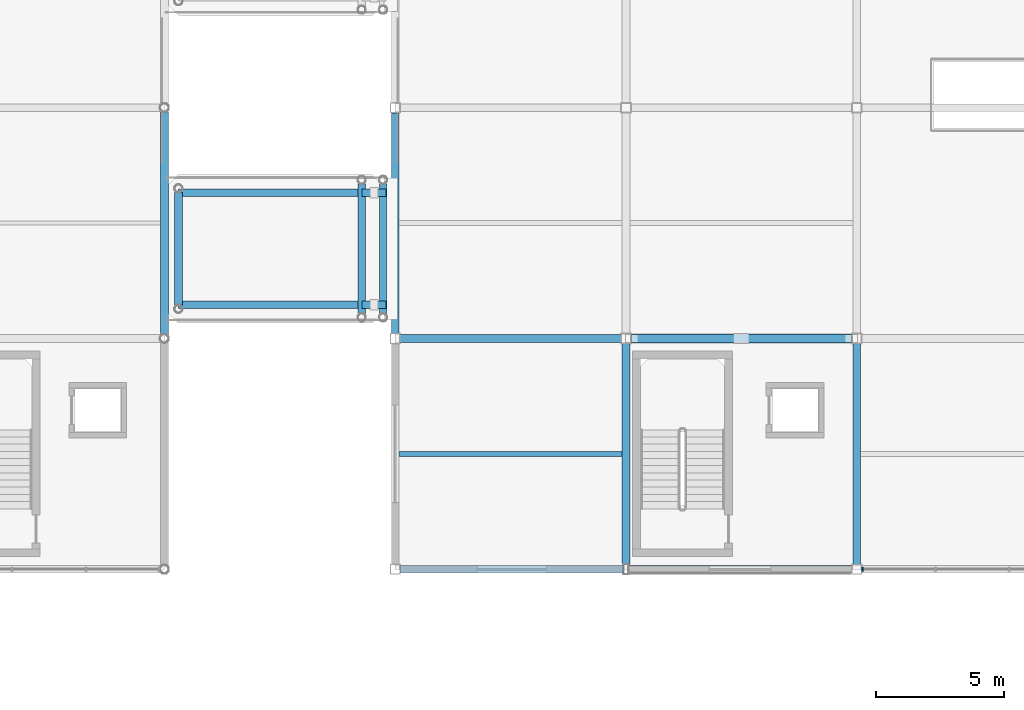
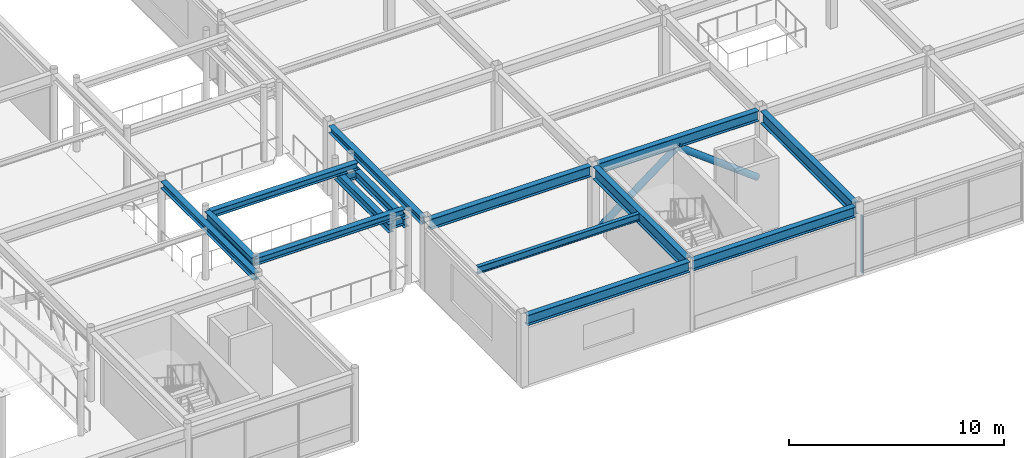
# One storey, part 20 of 70: 16 beams, 3 members, 1 element without a shape of its own.
"""IFC4 building model written with IfcOpenShell, lengths in metres."""

from ifc_helpers import new_model, si_unit, direction, frame, origin, origin_2d, place, context, subcontext, project, spatial, rectangle, hollow_circle, i_section, extrude, material, material_profile, profile_set, type_object, element, aggregate, save


model = new_model("IFC4")

# Units and contexts
model_context = context("Model", 3, precision=1e-05, world=origin(), true_north=direction((0.0, 1.0)))
body_context = subcontext(model_context, "Body", "Model", "MODEL_VIEW")
ifc_project = project(units=[si_unit("LENGTHUNIT", "METRE"), si_unit("AREAUNIT", "SQUARE_METRE"), si_unit("VOLUMEUNIT", "CUBIC_METRE"), si_unit("PLANEANGLEUNIT", "RADIAN"), si_unit("MASSUNIT", "GRAM", prefix="KILO")], contexts=[model_context])

# Site, building, storey
site_placement = place(None, origin())
site = spatial("IfcSite", under=ifc_project, at=site_placement, CompositionType="ELEMENT")
building_placement = place(site_placement, origin())
building = spatial("IfcBuilding", under=site, at=building_placement, Name="Suzunagisa Mobility Hub", CompositionType="ELEMENT")
storey_placement = place(building_placement, frame((0.0, 0.0, 13.5)))
storey = spatial("IfcBuildingStorey", under=building, at=storey_placement, Name="L03", CompositionType="ELEMENT", Elevation=13.5)

# Curtain wall, member
ifc_material_1 = material(Name="Thermally Broken Anodized Aluminum and Low-E Glazing", Category="aluminium")
curtain_wall_type = type_object("IfcCurtainWallType", Name="Unitised Curtain Wall CW-18 8500x3200", PredefinedType="USERDEFINED", material=ifc_material_1)
curtain_wall_placement = place(storey_placement, origin())
curtain_wall = element("IfcCurtainWall", 1, at=curtain_wall_placement, inside=storey, type_object=curtain_wall_type, Name="L03 Unitised Curtain Wall CW-121", ObjectType="UNITISED CURTAIN WALL", PredefinedType="USERDEFINED")
ifc_material_2 = material(Name="Anodized Aluminum 6063-T6", Category="aluminium")
ifc_material_profile_1 = material_profile(ifc_material_2, rectangle(XDim=0.06005859375, YDim=0.14990234375, at=origin_2d()), Name="MULL-60x150")
ifc_profile_set_1 = profile_set([ifc_material_profile_1], Name="Anodized Aluminum 6063-T6")
member_type_1 = type_object("IfcMemberType", Name="Curtain Wall Framing CM-03 MULL-60x150", PredefinedType="MULLION", material=ifc_profile_set_1)
member_placement = place(storey_placement, frame((63.22998046875, 80.0, 0.0), z_axis=(0.0, 0.0, 1.0), x_axis=(1.0, 0.0, 0.0)))
member = element("IfcMember", 2, at=member_placement, type_object=member_type_1, Name="Curtain Wall Mullion 121-M1", PredefinedType="MULLION", context=body_context, shape_type="SweptSolid", body=[
    extrude(rectangle(XDim=0.06005859375, YDim=0.14990234375, at=origin_2d()), origin(), (0.0, 0.0, 1.0), 3.25),
])
aggregate(curtain_wall, [member])

# Members
ifc_material_3 = material(Name="Steel SN490B", Category="steel")
ifc_material_profile_2 = material_profile(ifc_material_3, hollow_circle(Radius=0.177734375, WallThickness=0.0126953125, at=origin_2d()), Name="CHS-355.6x12.7")
ifc_profile_set_2 = profile_set([ifc_material_profile_2], Name="Steel SN490B")
member_type_2 = type_object("IfcMemberType", Name="Roof Truss and Brace Member MB-03 CHS-355.6x12.7", PredefinedType="BRACE", material=ifc_profile_set_2)
for number, where, z_axis, x_axis, name in (
    (3, (54.219970703125, 89.0, 0.1201171875), (0.798406843129, 0.0, 0.602118354516), (0.0, 1.0, 0.0), "L03 Concentric Lateral Brace BR-33"),
    (4, (62.780029296875, 89.0, 0.1201171875), (-0.798406843129, 0.0, 0.602118354516), (0.0, -1.0, 0.0), "L03 Concentric Lateral Brace BR-34"),
):
    element("IfcMember", number, at=place(storey_placement, frame(where, z_axis=z_axis, x_axis=x_axis)), inside=storey, type_object=member_type_2, Name=name, PredefinedType="BRACE", context=body_context, shape_type="SweptSolid", body=[
        extrude(hollow_circle(Radius=0.177734375, WallThickness=0.0126953125, at=origin_2d()), origin(), (0.0, 0.0, 1.0), 5.360595703125),
    ])

# Beams
ifc_material_profile_3 = material_profile(ifc_material_3, i_section(OverallWidth=0.300048828125, OverallDepth=0.488037109375, WebThickness=0.010986328125, FlangeThickness=0.01806640625, FilletRadius=0.012939453125, at=origin_2d()), Name="H-488x300x11x18")
ifc_profile_set_3 = profile_set([ifc_material_profile_3], Name="Steel SN490B")
beam_type_1 = type_object("IfcBeamType", Name="Steel Beam BM-06 H-488x300x11x18", PredefinedType="BEAM", material=ifc_profile_set_3)
beam_1_placement = place(storey_placement, frame((36.550048828125, 90.31005859375, 3.696044921875), z_axis=(0.0, 1.0, 0.0), x_axis=(-1.0, 0.0, 0.0)))
element("IfcBeam", 5, at=beam_1_placement, inside=storey, type_object=beam_type_1, Name="L04 Skybridge Fixed Crosshead VRL-L04-S", PredefinedType="BEAM", context=body_context, shape_type="SweptSolid", body=[
    extrude(i_section(OverallWidth=0.300048828125, OverallDepth=0.488037109375, WebThickness=0.010986328125, FlangeThickness=0.01806640625, FilletRadius=0.012939453125, at=origin_2d()), origin(), (0.0, 0.0, 1.0), 4.3798828125),
])
for number, where, z_axis, x_axis, name in (
    (6, (43.699951171875, 89.97998046875, 3.305908203125), (0.0, 1.0, 0.0), (-1.0, 0.0, 0.0), "L04 Skybridge Seat Crosshead VRL-L04-S-W"),
    (7, (44.530029296875, 89.97998046875, 3.305908203125), (0.0, 1.0, 0.0), (-1.0, 0.0, 0.0), "L04 Skybridge Seat Crosshead VRL-L04-S-E"),
):
    element("IfcBeam", number, at=place(storey_placement, frame(where, z_axis=z_axis, x_axis=x_axis)), inside=storey, type_object=beam_type_1, Name=name, PredefinedType="BEAM", context=body_context, shape_type="SweptSolid", body=[
        extrude(i_section(OverallWidth=0.300048828125, OverallDepth=0.488037109375, WebThickness=0.010986328125, FlangeThickness=0.01806640625, FilletRadius=0.012939453125, at=origin_2d()), origin(), (0.0, 0.0, 1.0), 5.0400390625),
    ])
for number, where, z_axis, x_axis, name in (
    (8, (43.699951171875, 90.320068359375, 3.305908203125), (1.0, 0.0, 0.0), (0.0, 1.0, 0.0), "L04 Skybridge 950mm Bearing Seat VRL-L04-S-A"),
    (9, (43.699951171875, 94.679931640625, 3.305908203125), (1.0, 0.0, 0.0), (0.0, 1.0, 0.0), "L04 Skybridge 950mm Bearing Seat VRL-L04-S-B"),
):
    element("IfcBeam", number, at=place(storey_placement, frame(where, z_axis=z_axis, x_axis=x_axis)), inside=storey, type_object=beam_type_1, Name=name, PredefinedType="BEAM", context=body_context, shape_type="SweptSolid", body=[
        extrude(i_section(OverallWidth=0.300048828125, OverallDepth=0.488037109375, WebThickness=0.010986328125, FlangeThickness=0.01806640625, FilletRadius=0.012939453125, at=origin_2d()), origin(), (0.0, 0.0, 1.0), 0.949951171875),
    ])
ifc_material_profile_4 = material_profile(ifc_material_3, i_section(OverallWidth=0.300048828125, OverallDepth=0.699951171875, WebThickness=0.012939453125, FlangeThickness=0.02392578125, FilletRadius=0.01806640625, at=origin_2d()), Name="H-700x300x13x24")
ifc_profile_set_4 = profile_set([ifc_material_profile_4], Name="Steel SN490B")
beam_type_2 = type_object("IfcBeamType", Name="Steel Beam BM-11 H-700x300x13x24", PredefinedType="BEAM", material=ifc_profile_set_4)
for number, where, z_axis, x_axis, name in (
    (10, (54.0, 80.196044921875, 3.60009765625), (0.0, 1.0, 0.0), (-1.0, 0.0, 0.0), "L03 Primary Girder GY-1067"),
    (11, (63.0, 80.196044921875, 3.60009765625), (0.0, 1.0, 0.0), (-1.0, 0.0, 0.0), "L03 Primary Girder GY-1071"),
):
    element("IfcBeam", number, at=place(storey_placement, frame(where, z_axis=z_axis, x_axis=x_axis)), inside=storey, type_object=beam_type_2, Name=name, PredefinedType="BEAM", context=body_context, shape_type="SweptSolid", body=[
        extrude(i_section(OverallWidth=0.300048828125, OverallDepth=0.699951171875, WebThickness=0.012939453125, FlangeThickness=0.02392578125, FilletRadius=0.01806640625, at=origin_2d()), origin(), (0.0, 0.0, 1.0), 8.60791015625),
    ])
ifc_material_profile_5 = material_profile(ifc_material_3, i_section(OverallWidth=0.300048828125, OverallDepth=0.389892578125, WebThickness=0.010009765625, FlangeThickness=0.01611328125, FilletRadius=0.012939453125, at=origin_2d()), Name="H-390x300x10x16")
ifc_profile_set_5 = profile_set([ifc_material_profile_5], Name="Steel SN490B")
beam_type_3 = type_object("IfcBeamType", Name="Steel Beam BM-13 H-390x300x10x16", PredefinedType="SPANDREL", material=ifc_profile_set_5)
beam_2_placement = place(storey_placement, frame((36.0, 89.173828125, 3.7451171875), z_axis=(0.0, 1.0, 0.0), x_axis=(-1.0, 0.0, 0.0)))
element("IfcBeam", 12, at=beam_2_placement, inside=storey, type_object=beam_type_3, Name="L03 Primary Girder GY-579", PredefinedType="SPANDREL", context=body_context, shape_type="SweptSolid", body=[
    extrude(i_section(OverallWidth=0.300048828125, OverallDepth=0.389892578125, WebThickness=0.010009765625, FlangeThickness=0.01611328125, FilletRadius=0.012939453125, at=origin_2d()), origin(), (0.0, 0.0, 1.0), 8.65234375),
])
beam_3_placement = place(storey_placement, frame((45.0, 89.196044921875, 3.7548828125), z_axis=(0.0, 1.0, 0.0), x_axis=(-1.0, 0.0, 0.0)))
element("IfcBeam", 13, at=beam_3_placement, inside=storey, type_object=beam_type_3, Name="L03 Primary Girder GY-1064", PredefinedType="SPANDREL", context=body_context, shape_type="SweptSolid", body=[
    extrude(i_section(OverallWidth=0.300048828125, OverallDepth=0.389892578125, WebThickness=0.010009765625, FlangeThickness=0.01611328125, FilletRadius=0.012939453125, at=origin_2d()), origin(), (0.0, 0.0, 1.0), 8.60791015625),
])
ifc_material_4 = material(Name="Steel SN400B", Category="steel")
ifc_material_profile_6 = material_profile(ifc_material_4, i_section(OverallWidth=0.199951171875, OverallDepth=0.39990234375, WebThickness=0.008056640625, FlangeThickness=0.012939453125, FilletRadius=0.012939453125, at=origin_2d()), Name="H-400x200x8x13")
ifc_profile_set_6 = profile_set([ifc_material_profile_6], Name="Steel SN400B")
beam_type_4 = type_object("IfcBeamType", Name="Steel Beam BM-14 H-400x200x8x13", PredefinedType="JOIST", material=ifc_profile_set_6)
beam_4_placement = place(storey_placement, frame((45.14990234375, 84.5, 3.75), z_axis=(1.0, 0.0, 0.0), x_axis=(0.0, 1.0, 0.0)))
element("IfcBeam", 14, at=beam_4_placement, inside=storey, type_object=beam_type_4, Name="L03 Composite Floor Joist J-1095", PredefinedType="JOIST", context=body_context, shape_type="SweptSolid", body=[
    extrude(i_section(OverallWidth=0.199951171875, OverallDepth=0.39990234375, WebThickness=0.008056640625, FlangeThickness=0.012939453125, FilletRadius=0.012939453125, at=origin_2d()), origin(), (0.0, 0.0, 1.0), 8.7001953125),
])
ifc_material_profile_7 = material_profile(ifc_material_3, i_section(OverallWidth=0.300048828125, OverallDepth=0.587890625, WebThickness=0.011962890625, FlangeThickness=0.02001953125, FilletRadius=0.012939453125, at=origin_2d()), Name="H-588x300x12x20")
ifc_profile_set_7 = profile_set([ifc_material_profile_7], Name="Steel SN490B")
beam_type_5 = type_object("IfcBeamType", Name="Steel Beam BM-16 H-588x300x12x20", PredefinedType="BEAM", material=ifc_profile_set_7)
for number, where, z_axis, x_axis, name in (
    (15, (45.196044921875, 80.0, 3.656005859375), (1.0, 0.0, 0.0), (0.0, 1.0, 0.0), "L03 Primary Girder GX-1028"),
    (16, (54.095947265625, 80.0, 3.656005859375), (1.0, 0.0, 0.0), (0.0, 1.0, 0.0), "L03 Primary Girder GX-1029"),
):
    element("IfcBeam", number, at=place(storey_placement, frame(where, z_axis=z_axis, x_axis=x_axis)), inside=storey, type_object=beam_type_5, Name=name, PredefinedType="BEAM", context=body_context, shape_type="SweptSolid", body=[
        extrude(i_section(OverallWidth=0.300048828125, OverallDepth=0.587890625, WebThickness=0.011962890625, FlangeThickness=0.02001953125, FilletRadius=0.012939453125, at=origin_2d()), origin(), (0.0, 0.0, 1.0), 8.7080078125),
    ])
for number, where, z_axis, x_axis, name in (
    (17, (45.196044921875, 89.0, 3.656005859375), (1.0, 0.0, 0.0), (0.0, 1.0, 0.0), "L03 Primary Girder GX-1035"),
    (18, (54.196044921875, 89.0, 3.656005859375), (1.0, 0.0, 0.0), (0.0, 1.0, 0.0), "L03 Primary Girder GX-1036"),
):
    element("IfcBeam", number, at=place(storey_placement, frame(where, z_axis=z_axis, x_axis=x_axis)), inside=storey, type_object=beam_type_5, Name=name, PredefinedType="BEAM", context=body_context, shape_type="SweptSolid", body=[
        extrude(i_section(OverallWidth=0.300048828125, OverallDepth=0.587890625, WebThickness=0.011962890625, FlangeThickness=0.02001953125, FilletRadius=0.012939453125, at=origin_2d()), origin(), (0.0, 0.0, 1.0), 8.60791015625),
    ])
ifc_material_profile_8 = material_profile(ifc_material_3, i_section(OverallWidth=0.300048828125, OverallDepth=0.389892578125, WebThickness=0.010009765625, FlangeThickness=0.01611328125, FilletRadius=0.012939453125, at=origin_2d()), Name="H-390x300x10x16")
ifc_profile_set_8 = profile_set([ifc_material_profile_8], Name="Steel SN490B")
beam_type_6 = type_object("IfcBeamType", Name="Steel Beam BM-17 H-390x300x10x16", PredefinedType="T_BEAM", material=ifc_profile_set_8)
for number, where, z_axis, x_axis, name in (
    (19, (36.550048828125, 90.320068359375, 3.7451171875), (1.0, 0.0, 0.0), (0.0, 1.0, 0.0), "L04 Bridge Girder VRL-L04-S-A"),
    (20, (36.550048828125, 94.679931640625, 3.7451171875), (1.0, 0.0, 0.0), (0.0, 1.0, 0.0), "L04 Bridge Girder VRL-L04-S-B"),
):
    element("IfcBeam", number, at=place(storey_placement, frame(where, z_axis=z_axis, x_axis=x_axis)), inside=storey, type_object=beam_type_6, Name=name, PredefinedType="T_BEAM", context=body_context, shape_type="SweptSolid", body=[
        extrude(i_section(OverallWidth=0.300048828125, OverallDepth=0.389892578125, WebThickness=0.010009765625, FlangeThickness=0.01611328125, FilletRadius=0.012939453125, at=origin_2d()), origin(), (0.0, 0.0, 1.0), 8.02001953125),
    ])

save(model, "model.ifc")
